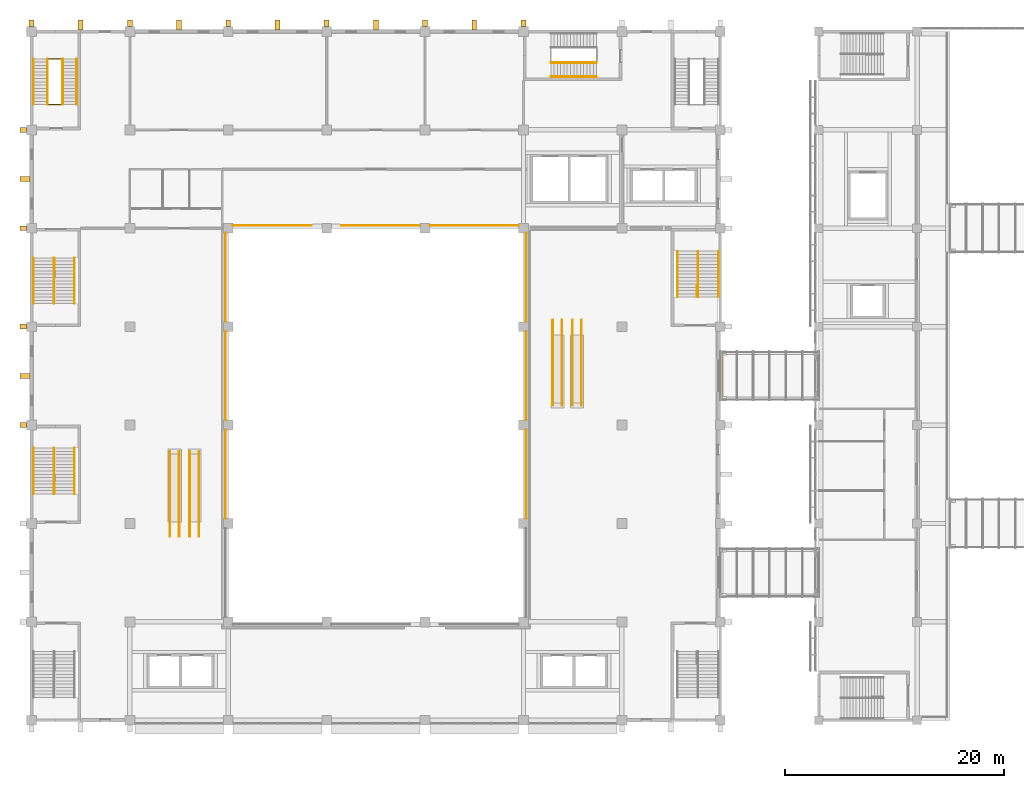
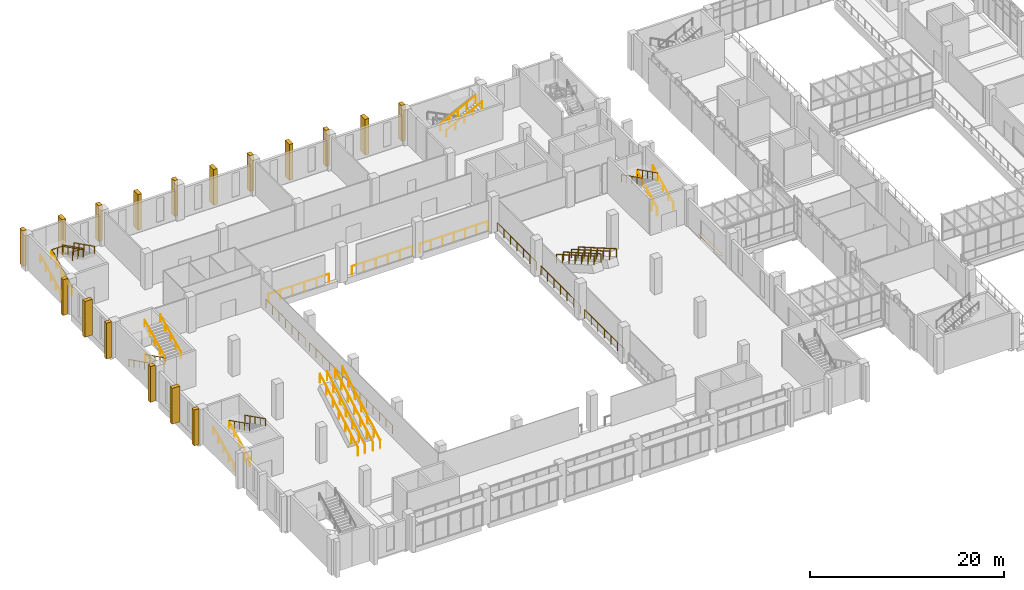
# One storey, part 81 of 88: 39 railings, 18 coverings.
"""IFC4 building model written with IfcOpenShell, lengths in metres."""

import ifcopenshell
import ifcopenshell.guid

model = None  # the IFC model being written
_history = None  # IfcOwnerHistory: only IFC2X3 demands one
_inside = {}  # id of a spatial element -> (the spatial element, [elements in it])
_under = {}  # id of a project, library or spatial element -> (it, [spatial elements below it])
_declared = {}  # id of a project -> (the project, [libraries it declares])
_typed = {}  # id of a type object -> (the type object, [elements of that type])
_made_of = {}  # id of a material, layer set ... -> (it, [elements and type objects made of it])


def new_model(schema):
    """Start an empty IFC model of exactly this schema.

    Asked for "IFC4X3", IfcOpenShell would pick the latest addendum, in which some entities
    have other attributes; the version numbers below select the first issue.
    IFC2X3 requires an IfcOwnerHistory on every rooted entity: one is made here for all.
    """
    global model, _history
    if schema == "IFC4X3":
        model = ifcopenshell.file(schema_version=(4, 3, 0, 0))
    else:
        model = ifcopenshell.file(schema=schema)
    _inside.clear()
    _under.clear()
    _declared.clear()
    _typed.clear()
    _made_of.clear()
    _history = None
    if model.schema == "IFC2X3":
        org = make("IfcOrganization", Name="unknown")
        user = make(
            "IfcPersonAndOrganization",
            ThePerson=make("IfcPerson", FamilyName="unknown"),
            TheOrganization=org,
        )
        app = make(
            "IfcApplication",
            ApplicationDeveloper=org,
            Version="unknown",
            ApplicationFullName="unknown",
            ApplicationIdentifier="unknown",
        )
        _history = make(
            "IfcOwnerHistory",
            OwningUser=user,
            OwningApplication=app,
            ChangeAction="ADDED",
            CreationDate=0,
        )
    return model


def make(cls, **values):
    """One entity of the class cls with the attributes given. An attribute that is None is left unset."""
    return model.create_entity(
        cls, **{name: value for name, value in values.items() if value is not None}
    )


def rooted(cls, **values):
    """An entity with a GlobalId (a new one), such as an element, a storey or a relation."""
    return make(cls, GlobalId=ifcopenshell.guid.new(), OwnerHistory=_history, **values)


def si_unit(unit_type, name, prefix=None):
    """IfcSIUnit, for example si_unit("LENGTHUNIT", "METRE", prefix="MILLI")."""
    return make("IfcSIUnit", UnitType=unit_type, Prefix=prefix, Name=name)


def assignment(units):
    """IfcUnitAssignment: the units of a project."""
    return None if units is None else make("IfcUnitAssignment", Units=units)


def point(xyz):
    """IfcCartesianPoint."""
    return None if xyz is None else make("IfcCartesianPoint", Coordinates=xyz)


def direction(xyz):
    """IfcDirection."""
    return None if xyz is None else make("IfcDirection", DirectionRatios=xyz)


def frame(location, z_axis=None, x_axis=None):
    """IfcAxis2Placement3D, a coordinate frame: its origin and axes. An axis left out is left unset."""
    return make(
        "IfcAxis2Placement3D",
        Location=point(location),
        Axis=direction(z_axis),
        RefDirection=direction(x_axis),
    )


def frame_2d(location, x_axis=None):
    """IfcAxis2Placement2D, a coordinate frame in the plane: its origin and x axis."""
    return make(
        "IfcAxis2Placement2D", Location=point(location), RefDirection=direction(x_axis)
    )


def origin():
    """The frame at (0, 0, 0) with its axes left unset."""
    return frame((0.0, 0.0, 0.0))


def origin_2d():
    """The frame at (0, 0) in the plane with its x axis left unset."""
    return frame_2d((0.0, 0.0))


def place(relative_to, where):
    """IfcLocalPlacement: puts the frame where relative to a parent placement (None: the world)."""
    return make(
        "IfcLocalPlacement", PlacementRelTo=relative_to, RelativePlacement=where
    )


def context(
    kind, dimensions, precision=None, world=None, true_north=None, identifier=None
):
    """IfcGeometricRepresentationContext, for example the 3D "Model" context."""
    return make(
        "IfcGeometricRepresentationContext",
        ContextIdentifier=identifier,
        ContextType=kind,
        CoordinateSpaceDimension=dimensions,
        Precision=precision,
        WorldCoordinateSystem=world,
        TrueNorth=true_north,
    )


def subcontext(parent, identifier, kind, view, scale=None):
    """IfcGeometricRepresentationSubContext, for example "Body" below "Model"."""
    return make(
        "IfcGeometricRepresentationSubContext",
        ContextIdentifier=identifier,
        ContextType=kind,
        ParentContext=parent,
        TargetScale=scale,
        TargetView=view,
    )


def project(units=None, contexts=None):
    """IfcProject with its units and contexts."""
    return rooted(
        "IfcProject",
        Name="project",
        RepresentationContexts=contexts,
        UnitsInContext=assignment(units),
    )


def spatial(cls, under=None, at=None, **own):
    """A site, building, storey or space (cls), placed at a placement, below another one or the project."""
    s = rooted(cls, ObjectPlacement=at, **own)
    if under is not None:
        _under.setdefault(under.id(), (under, []))[1].append(s)
    return s


def profile(cls, at=None, kind="AREA", **sizes):
    """A parametric profile (cls). Its sizes go by their IFC names, for example OverallWidth=200.0."""
    return make(cls, ProfileType=kind, Position=at, **sizes)


def rectangle(**sizes):
    """IfcRectangleProfileDef."""
    return profile("IfcRectangleProfileDef", **sizes)


def circle(**sizes):
    """IfcCircleProfileDef."""
    return profile("IfcCircleProfileDef", **sizes)


def extrude(swept, where, along, depth):
    """IfcExtrudedAreaSolid: the profile swept, set in the frame where, extruded along a direction by depth."""
    return make(
        "IfcExtrudedAreaSolid",
        SweptArea=swept,
        Position=where,
        ExtrudedDirection=direction(along),
        Depth=depth,
    )


def shape(context_of_items, identifier, shape_type, items):
    """IfcShapeRepresentation: the items that make up one representation, for example the "Body"."""
    return make(
        "IfcShapeRepresentation",
        ContextOfItems=context_of_items,
        RepresentationIdentifier=identifier,
        RepresentationType=shape_type,
        Items=items,
    )


def material(Name=None, Category=None):
    """IfcMaterial."""
    return make("IfcMaterial", Name=Name, Category=Category)


def layer(
    of_material, thickness, ventilated=None, Name=None, Category=None, Priority=None
):
    """IfcMaterialLayer: one layer of a wall or slab, of a material (None: an air gap)."""
    return make(
        "IfcMaterialLayer",
        Material=of_material,
        LayerThickness=thickness,
        IsVentilated=ventilated,
        Name=Name,
        Category=Category,
        Priority=Priority,
    )


def layer_set(layers, Name=None):
    """IfcMaterialLayerSet."""
    return make("IfcMaterialLayerSet", MaterialLayers=layers, LayerSetName=Name)


def made_of(thing, what):
    """Note that an element or type object is made of a material, layer set ...; save() writes the relation."""
    if what is not None:
        _made_of.setdefault(what.id(), (what, []))[1].append(thing)
    return thing


def type_object(cls, material=None, **own):
    """A type object (cls), such as IfcWallType, which elements share."""
    return made_of(rooted(cls, **own), material)


def element(
    cls,
    number,
    at=None,
    inside=None,
    cuts=None,
    type_object=None,
    material=None,
    context=None,
    identifier="Body",
    shape_type=None,
    held_by="IfcProductDefinitionShape",
    body=None,
    shapes=None,
    **own,
):
    """One element of the class cls, such as IfcWall. Its Tag is "e" and its number.

    at: its placement. inside: the storey or other place that contains it. cuts: it is an
    opening in that element (IfcRelVoidsElement). A single representation is given by context,
    identifier, shape_type and body (its items); several are given by shapes. held_by: the class
    of the entity that holds the representations. save() writes the other relations.
    """
    e = rooted(cls, Tag="e%d" % number, ObjectPlacement=at, **own)
    if body is not None:
        shapes = [shape(context, identifier, shape_type, body)]
    if shapes is not None:
        e.Representation = make(held_by, Representations=shapes)
    if inside is not None:
        _inside.setdefault(inside.id(), (inside, []))[1].append(e)
    if cuts is not None:
        rooted(
            "IfcRelVoidsElement", RelatingBuildingElement=cuts, RelatedOpeningElement=e
        )
    if type_object is not None:
        _typed.setdefault(type_object.id(), (type_object, []))[1].append(e)
    return made_of(e, material)


def aggregate(whole, parts):
    """IfcRelAggregates: a whole, such as a stair, and the parts it consists of."""
    return rooted("IfcRelAggregates", RelatingObject=whole, RelatedObjects=parts)


def save(model, path):
    """Write the relations noted so far, then the file.

    IfcRelAggregates (storeys below a building ...), IfcRelContainedInSpatialStructure (elements
    in a storey), IfcRelDefinesByType, IfcRelAssociatesMaterial and IfcRelDeclares: one each for
    every whole, place, type object, material and project.
    """
    for whole, parts in _under.values():
        aggregate(whole, parts)
    for where, things in _inside.values():
        rooted(
            "IfcRelContainedInSpatialStructure",
            RelatedElements=things,
            RelatingStructure=where,
        )
    for kind, things in _typed.values():
        rooted("IfcRelDefinesByType", RelatedObjects=things, RelatingType=kind)
    for what, things in _made_of.values():
        rooted("IfcRelAssociatesMaterial", RelatedObjects=things, RelatingMaterial=what)
    for by, libraries in _declared.values():
        rooted("IfcRelDeclares", RelatingContext=by, RelatedDefinitions=libraries)
    model.write(path)


model = new_model("IFC4")

# Units and contexts
model_context = context("Model", 3, precision=1e-05, world=origin(), true_north=direction((0.0, 1.0)))
body_context = subcontext(model_context, "Body", "Model", "MODEL_VIEW")
ifc_project = project(units=[si_unit("LENGTHUNIT", "METRE"), si_unit("AREAUNIT", "SQUARE_METRE"), si_unit("VOLUMEUNIT", "CUBIC_METRE"), si_unit("PLANEANGLEUNIT", "RADIAN"), si_unit("MASSUNIT", "GRAM", prefix="KILO")], contexts=[model_context])

# Site, building, storey
site_placement = place(None, origin())
site = spatial("IfcSite", under=ifc_project, at=site_placement, CompositionType="ELEMENT")
building_placement = place(site_placement, origin())
building = spatial("IfcBuilding", under=site, at=building_placement, Name="Guidao Yard Department Store", CompositionType="ELEMENT")
storey_placement = place(building_placement, frame((0.0, 0.0, 6.0)))
storey = spatial("IfcBuildingStorey", under=building, at=storey_placement, Name="L01", CompositionType="ELEMENT", Elevation=6.0)

# Covering
ifc_material_1 = material(Name="Stainless steel 316", Category="steel")
ifc_layer_1 = layer(ifc_material_1, 0.010009765625)
ifc_layer_set_1 = layer_set([ifc_layer_1], Name="Bridge joint cover JC1 stainless steel 10 x 335")
covering_type_1 = type_object("IfcCoveringType", Name="Bridge joint cover JC1 stainless steel 10 x 335", PredefinedType="FLOORING", material=ifc_layer_set_1)
covering_1_placement = place(storey_placement, frame((63.0673828125, 76.5, 0.0), z_axis=(0.0, 0.0, 1.0), x_axis=(1.0, 0.0, 0.0)))
element("IfcCovering", 1, at=covering_1_placement, inside=storey, type_object=covering_type_1, Name="Bridge joint cover plate BR02", PredefinedType="FLOORING", context=body_context, shape_type="SweptSolid", body=[
    extrude(rectangle(XDim=0.3349609375, YDim=4.5, at=origin_2d()), origin(), (0.0, 0.0, 1.0), 0.010009765625),
])

# Railings
ifc_material_2 = material(Name="Laminated glass", Category="glass")
railing_type_1 = type_object("IfcRailingType", Name="Escalator balustrade glass 1100", PredefinedType="BALUSTRADE", material=ifc_material_2)
for number, where, name in (
    (2, (12.679931640625, 61.800048828125, 0.0), "Escalator EH3 up balustrade"),
    (3, (13.52001953125, 61.800048828125, 0.0), "Escalator EH3 up balustrade"),
    (4, (14.47998046875, 61.800048828125, 0.0), "Escalator EH3 down balustrade"),
    (5, (15.320068359375, 61.800048828125, 0.0), "Escalator EH3 down balustrade"),
):
    element("IfcRailing", number, at=place(storey_placement, frame(where)), inside=storey, type_object=railing_type_1, Name=name, PredefinedType="BALUSTRADE", context=body_context, shape_type="SweptSolid", body=[
        extrude(circle(Radius=0.030029296875, at=origin_2d()), frame((0.0, 0.0, 1.070068359375), z_axis=(0.0, 0.866017533419, 0.500013631625), x_axis=(-1.0, 0.0, 0.0)), (0.0, 0.0, 1.0), 8.999755859375),
        extrude(circle(Radius=0.02490234375, at=origin_2d()), origin(), (0.0, 0.0, 1.0), 1.0400390625),
        extrude(circle(Radius=0.02490234375, at=origin_2d()), frame((0.0, 1.299072265625, 0.75)), (0.0, 0.0, 1.0), 1.0400390625),
        extrude(circle(Radius=0.02490234375, at=origin_2d()), frame((0.0, 2.597900390625, 1.5)), (0.0, 0.0, 1.0), 1.0400390625),
        extrude(circle(Radius=0.02490234375, at=origin_2d()), frame((0.0, 3.89697265625, 2.25)), (0.0, 0.0, 1.0), 1.0400390625),
        extrude(circle(Radius=0.02490234375, at=origin_2d()), frame((0.0, 5.196044921875, 3.0)), (0.0, 0.0, 1.0), 1.0400390625),
        extrude(circle(Radius=0.02490234375, at=origin_2d()), frame((0.0, 6.494873046875, 3.75)), (0.0, 0.0, 1.0), 1.0400390625),
        extrude(circle(Radius=0.02490234375, at=origin_2d()), frame((0.0, 7.7939453125, 4.5)), (0.0, 0.0, 1.0), 1.0400390625),
    ])
for number, where, name in (
    (6, (47.679931640625, 81.60009765625, 0.0), "Escalator EH4 up balustrade"),
    (7, (48.52001953125, 81.60009765625, 0.0), "Escalator EH4 up balustrade"),
    (8, (49.47998046875, 81.60009765625, 0.0), "Escalator EH4 down balustrade"),
    (9, (50.320068359375, 81.60009765625, 0.0), "Escalator EH4 down balustrade"),
):
    element("IfcRailing", number, at=place(storey_placement, frame(where)), inside=storey, type_object=railing_type_1, Name=name, PredefinedType="BALUSTRADE", context=body_context, shape_type="SweptSolid", body=[
        extrude(circle(Radius=0.030029296875, at=origin_2d()), frame((0.0, 0.0, 1.070068359375), z_axis=(0.0, -0.866024315419, 0.5000018851), x_axis=(1.0, 0.0, 0.0)), (0.0, 0.0, 1.0), 9.0),
        extrude(circle(Radius=0.02490234375, at=origin_2d()), origin(), (0.0, 0.0, 1.0), 1.0400390625),
        extrude(circle(Radius=0.02490234375, at=origin_2d()), frame((0.0, -1.299072265625, 0.75)), (0.0, 0.0, 1.0), 1.0400390625),
        extrude(circle(Radius=0.02490234375, at=origin_2d()), frame((0.0, -2.59814453125, 1.5)), (0.0, 0.0, 1.0), 1.0400390625),
        extrude(circle(Radius=0.02490234375, at=origin_2d()), frame((0.0, -3.89697265625, 2.25)), (0.0, 0.0, 1.0), 1.0400390625),
        extrude(circle(Radius=0.02490234375, at=origin_2d()), frame((0.0, -5.196044921875, 3.0)), (0.0, 0.0, 1.0), 1.0400390625),
        extrude(circle(Radius=0.02490234375, at=origin_2d()), frame((0.0, -6.4951171875, 3.75)), (0.0, 0.0, 1.0), 1.0400390625),
        extrude(circle(Radius=0.02490234375, at=origin_2d()), frame((0.0, -7.794189453125, 4.5)), (0.0, 0.0, 1.0), 1.0400390625),
    ])
ifc_material_3 = material(Name="Steel Q235", Category="steel")
railing_type_2 = type_object("IfcRailingType", Name="Guard steel balustrade 1100", PredefinedType="GUARDRAIL", material=ifc_material_3)
railing_1_placement = place(storey_placement, frame((2.125, 65.760009765625, 0.0)))
element("IfcRailing", 10, at=railing_1_placement, inside=storey, type_object=railing_type_2, Name="Stair A1 guard L01 1", PredefinedType="GUARDRAIL", context=body_context, shape_type="SweptSolid", body=[
    extrude(circle(Radius=0.02392578125, at=origin_2d()), frame((0.0, 0.0, 1.076171875), z_axis=(0.0, 1.0, 0.0), x_axis=(-1.0, 0.0, 0.0)), (0.0, 0.0, 1.0), 1.0),
    extrude(circle(Radius=0.02099609375, at=origin_2d()), origin(), (0.0, 0.0, 1.0), 1.052001953125),
    extrude(circle(Radius=0.02099609375, at=origin_2d()), frame((0.0, 1.0, 0.0)), (0.0, 0.0, 1.0), 1.052001953125),
])
railing_2_placement = place(storey_placement, frame((2.125, 87.239990234375, 0.0)))
element("IfcRailing", 11, at=railing_2_placement, inside=storey, type_object=railing_type_2, Name="Stair A3 guard L01 3", PredefinedType="GUARDRAIL", context=body_context, shape_type="SweptSolid", body=[
    extrude(circle(Radius=0.02392578125, at=origin_2d()), frame((0.0, 0.0, 1.076171875), z_axis=(0.0, -1.0, 0.0), x_axis=(1.0, 0.0, 0.0)), (0.0, 0.0, 1.0), 1.0),
    extrude(circle(Radius=0.02099609375, at=origin_2d()), origin(), (0.0, 0.0, 1.0), 1.052001953125),
    extrude(circle(Radius=0.02099609375, at=origin_2d()), frame((0.0, -1.0, 0.0)), (0.0, 0.0, 1.0), 1.052001953125),
])
railing_3_placement = place(storey_placement, frame((60.875, 83.760009765625, 0.0)))
element("IfcRailing", 12, at=railing_3_placement, inside=storey, type_object=railing_type_2, Name="Stair A4 guard L01 4", PredefinedType="GUARDRAIL", context=body_context, shape_type="SweptSolid", body=[
    extrude(circle(Radius=0.02392578125, at=origin_2d()), frame((0.0, 0.0, 1.076171875), z_axis=(0.0, 1.0, 0.0), x_axis=(-1.0, 0.0, 0.0)), (0.0, 0.0, 1.0), 1.0),
    extrude(circle(Radius=0.02099609375, at=origin_2d()), origin(), (0.0, 0.0, 1.0), 1.052001953125),
    extrude(circle(Radius=0.02099609375, at=origin_2d()), frame((0.0, 1.0, 0.0)), (0.0, 0.0, 1.0), 1.052001953125),
])
railing_4_placement = place(storey_placement, frame((1.52490234375, 101.300048828125, 0.14990234375)))
element("IfcRailing", 13, at=railing_4_placement, inside=storey, type_object=railing_type_2, Name="Stair A5 guard L01 5", PredefinedType="GUARDRAIL", context=body_context, shape_type="SweptSolid", body=[
    extrude(circle(Radius=0.02392578125, at=origin_2d()), frame((0.0, 0.0, 1.076171875), z_axis=(0.0, 0.894416792377, 0.447234392142), x_axis=(-1.0, 0.0, 0.0)), (0.0, 0.0, 1.0), 4.69580078125),
    extrude(circle(Radius=0.02392578125, at=origin_2d()), frame((0.0, 4.199951171875, 3.17626953125), z_axis=(1.0, 0.0, 0.0), x_axis=(0.0, 1.0, 0.0)), (0.0, 0.0, 1.0), 1.275146484375),
    extrude(circle(Radius=0.02392578125, at=origin_2d()), frame((1.275146484375, 4.199951171875, 3.17626953125), z_axis=(0.0, 0.0, 1.0), x_axis=(1.0, 0.0, 0.0)), (0.0, 0.0, 1.0), 0.14990234375),
    extrude(circle(Radius=0.02392578125, at=origin_2d()), frame((1.275146484375, 4.199951171875, 3.326171875), z_axis=(0.0, -0.894416792377, 0.447234392142), x_axis=(1.0, 0.0, 0.0)), (0.0, 0.0, 1.0), 4.69580078125),
    extrude(circle(Radius=0.02392578125, at=origin_2d()), frame((1.275146484375, 0.0, 5.42626953125), z_axis=(-1.0, 0.0, 0.0), x_axis=(0.0, -1.0, 0.0)), (0.0, 0.0, 1.0), 1.275146484375),
    extrude(circle(Radius=0.02099609375, at=origin_2d()), origin(), (0.0, 0.0, 1.0), 1.052001953125),
    extrude(circle(Radius=0.02099609375, at=origin_2d()), frame((0.0, 1.050048828125, 0.52490234375)), (0.0, 0.0, 1.0), 1.052001953125),
    extrude(circle(Radius=0.02099609375, at=origin_2d()), frame((0.0, 2.10009765625, 1.050048828125)), (0.0, 0.0, 1.0), 1.052001953125),
    extrude(circle(Radius=0.02099609375, at=origin_2d()), frame((0.0, 3.14990234375, 1.5751953125)), (0.0, 0.0, 1.0), 1.052001953125),
    extrude(circle(Radius=0.02099609375, at=origin_2d()), frame((0.0, 4.199951171875, 2.10009765625)), (0.0, 0.0, 1.0), 1.052001953125),
    extrude(circle(Radius=0.02099609375, at=origin_2d()), frame((0.6376953125, 4.199951171875, 2.10009765625)), (0.0, 0.0, 1.0), 1.052001953125),
    extrude(circle(Radius=0.02099609375, at=origin_2d()), frame((1.275146484375, 4.199951171875, 2.10009765625)), (0.0, 0.0, 1.0), 1.052001953125),
    extrude(circle(Radius=0.02099609375, at=origin_2d()), frame((1.275146484375, 4.199951171875, 2.25)), (0.0, 0.0, 1.0), 1.052001953125),
    extrude(circle(Radius=0.02099609375, at=origin_2d()), frame((1.275146484375, 3.14990234375, 2.77490234375)), (0.0, 0.0, 1.0), 1.052001953125),
    extrude(circle(Radius=0.02099609375, at=origin_2d()), frame((1.275146484375, 2.10009765625, 3.300048828125)), (0.0, 0.0, 1.0), 1.052001953125),
    extrude(circle(Radius=0.02099609375, at=origin_2d()), frame((1.275146484375, 1.050048828125, 3.8251953125)), (0.0, 0.0, 1.0), 1.052001953125),
    extrude(circle(Radius=0.02099609375, at=origin_2d()), frame((1.275146484375, 0.0, 4.35009765625)), (0.0, 0.0, 1.0), 1.052001953125),
    extrude(circle(Radius=0.02099609375, at=origin_2d()), frame((0.6376953125, 0.0, 4.35009765625)), (0.0, 0.0, 1.0), 1.052001953125),
    extrude(circle(Radius=0.02099609375, at=origin_2d()), frame((0.0, 0.0, 4.35009765625)), (0.0, 0.0, 1.0), 1.052001953125),
])
for number, where, name in (
    (14, (45.25, 63.449951171875, 0.0), "Guard atrium E L01"),
    (15, (45.25, 72.449951171875, 0.0), "Guard atrium E L01"),
    (16, (45.25, 81.449951171875, 0.0), "Guard atrium E L01"),
):
    element("IfcRailing", number, at=place(storey_placement, frame(where)), inside=storey, type_object=railing_type_2, Name=name, PredefinedType="GUARDRAIL", context=body_context, shape_type="SweptSolid", body=[
        extrude(circle(Radius=0.02392578125, at=origin_2d()), frame((0.0, 0.0, 1.076171875), z_axis=(0.0, 1.0, 0.0), x_axis=(-1.0, 0.0, 0.0)), (0.0, 0.0, 1.0), 8.10009765625),
        extrude(circle(Radius=0.02099609375, at=origin_2d()), origin(), (0.0, 0.0, 1.0), 1.052001953125),
        extrude(circle(Radius=0.02099609375, at=origin_2d()), frame((0.0, 1.35009765625, 0.0)), (0.0, 0.0, 1.0), 1.052001953125),
        extrude(circle(Radius=0.02099609375, at=origin_2d()), frame((0.0, 2.699951171875, 0.0)), (0.0, 0.0, 1.0), 1.052001953125),
        extrude(circle(Radius=0.02099609375, at=origin_2d()), frame((0.0, 4.050048828125, 0.0)), (0.0, 0.0, 1.0), 1.052001953125),
        extrude(circle(Radius=0.02099609375, at=origin_2d()), frame((0.0, 5.400146484375, 0.0)), (0.0, 0.0, 1.0), 1.052001953125),
        extrude(circle(Radius=0.02099609375, at=origin_2d()), frame((0.0, 6.75, 0.0)), (0.0, 0.0, 1.0), 1.052001953125),
        extrude(circle(Radius=0.02099609375, at=origin_2d()), frame((0.0, 8.10009765625, 0.0)), (0.0, 0.0, 1.0), 1.052001953125),
    ])
railing_5_placement = place(storey_placement, frame((44.550048828125, 90.25, 0.0)))
element("IfcRailing", 17, at=railing_5_placement, inside=storey, type_object=railing_type_2, Name="Guard atrium N L01", PredefinedType="GUARDRAIL", context=body_context, shape_type="SweptSolid", body=[
    extrude(circle(Radius=0.02392578125, at=origin_2d()), frame((0.0, 0.0, 1.076171875), z_axis=(-1.0, 0.0, 0.0), x_axis=(0.0, -1.0, 0.0)), (0.0, 0.0, 1.0), 8.10009765625),
    extrude(circle(Radius=0.02099609375, at=origin_2d()), origin(), (0.0, 0.0, 1.0), 1.052001953125),
    extrude(circle(Radius=0.02099609375, at=origin_2d()), frame((-1.35009765625, 0.0, 0.0)), (0.0, 0.0, 1.0), 1.052001953125),
    extrude(circle(Radius=0.02099609375, at=origin_2d()), frame((-2.699951171875, 0.0, 0.0)), (0.0, 0.0, 1.0), 1.052001953125),
    extrude(circle(Radius=0.02099609375, at=origin_2d()), frame((-4.050048828125, 0.0, 0.0)), (0.0, 0.0, 1.0), 1.052001953125),
    extrude(circle(Radius=0.02099609375, at=origin_2d()), frame((-5.400146484375, 0.0, 0.0)), (0.0, 0.0, 1.0), 1.052001953125),
    extrude(circle(Radius=0.02099609375, at=origin_2d()), frame((-6.75, 0.0, 0.0)), (0.0, 0.0, 1.0), 1.052001953125),
    extrude(circle(Radius=0.02099609375, at=origin_2d()), frame((-8.10009765625, 0.0, 0.0)), (0.0, 0.0, 1.0), 1.052001953125),
])
for number, where, name in (
    (18, (35.550048828125, 90.25, 0.0), "Guard atrium N L01"),
    (19, (25.6298828125, 90.25, 0.0), "Guard atrium N L01"),
):
    element("IfcRailing", number, at=place(storey_placement, frame(where)), inside=storey, type_object=railing_type_2, Name=name, PredefinedType="GUARDRAIL", context=body_context, shape_type="SweptSolid", body=[
        extrude(circle(Radius=0.02392578125, at=origin_2d()), frame((0.0, 0.0, 1.076171875), z_axis=(-1.0, 0.0, 0.0), x_axis=(0.0, -1.0, 0.0)), (0.0, 0.0, 1.0), 7.179931640625),
        extrude(circle(Radius=0.02099609375, at=origin_2d()), origin(), (0.0, 0.0, 1.0), 1.052001953125),
        extrude(circle(Radius=0.02099609375, at=origin_2d()), frame((-1.43603515625, 0.0, 0.0)), (0.0, 0.0, 1.0), 1.052001953125),
        extrude(circle(Radius=0.02099609375, at=origin_2d()), frame((-2.8720703125, 0.0, 0.0)), (0.0, 0.0, 1.0), 1.052001953125),
        extrude(circle(Radius=0.02099609375, at=origin_2d()), frame((-4.307861328125, 0.0, 0.0)), (0.0, 0.0, 1.0), 1.052001953125),
        extrude(circle(Radius=0.02099609375, at=origin_2d()), frame((-5.743896484375, 0.0, 0.0)), (0.0, 0.0, 1.0), 1.052001953125),
        extrude(circle(Radius=0.02099609375, at=origin_2d()), frame((-7.179931640625, 0.0, 0.0)), (0.0, 0.0, 1.0), 1.052001953125),
    ])
for number, where, name in (
    (20, (17.75, 89.550048828125, 0.0), "Guard atrium W L01"),
    (21, (17.75, 80.550048828125, 0.0), "Guard atrium W L01"),
    (22, (17.75, 71.550048828125, 0.0), "Guard atrium W L01"),
):
    element("IfcRailing", number, at=place(storey_placement, frame(where)), inside=storey, type_object=railing_type_2, Name=name, PredefinedType="GUARDRAIL", context=body_context, shape_type="SweptSolid", body=[
        extrude(circle(Radius=0.02392578125, at=origin_2d()), frame((0.0, 0.0, 1.076171875), z_axis=(0.0, -1.0, 0.0), x_axis=(1.0, 0.0, 0.0)), (0.0, 0.0, 1.0), 8.10009765625),
        extrude(circle(Radius=0.02099609375, at=origin_2d()), origin(), (0.0, 0.0, 1.0), 1.052001953125),
        extrude(circle(Radius=0.02099609375, at=origin_2d()), frame((0.0, -1.35009765625, 0.0)), (0.0, 0.0, 1.0), 1.052001953125),
        extrude(circle(Radius=0.02099609375, at=origin_2d()), frame((0.0, -2.699951171875, 0.0)), (0.0, 0.0, 1.0), 1.052001953125),
        extrude(circle(Radius=0.02099609375, at=origin_2d()), frame((0.0, -4.050048828125, 0.0)), (0.0, 0.0, 1.0), 1.052001953125),
        extrude(circle(Radius=0.02099609375, at=origin_2d()), frame((0.0, -5.400146484375, 0.0)), (0.0, 0.0, 1.0), 1.052001953125),
        extrude(circle(Radius=0.02099609375, at=origin_2d()), frame((0.0, -6.75, 0.0)), (0.0, 0.0, 1.0), 1.052001953125),
        extrude(circle(Radius=0.02099609375, at=origin_2d()), frame((0.0, -8.10009765625, 0.0)), (0.0, 0.0, 1.0), 1.052001953125),
    ])
ifc_material_4 = material(Name="Steel Q235", Category="steel")
railing_type_3 = type_object("IfcRailingType", Name="Handrail steel tube 48", PredefinedType="HANDRAIL", material=ifc_material_4)
for number, where, name in (
    (23, (0.18505859375, 65.699951171875, 0.14990234375), "Stair A1 hand rail L01 1"),
    (24, (2.050048828125, 65.699951171875, 0.14990234375), "Stair A1 hand rail L01 2"),
):
    element("IfcRailing", number, at=place(storey_placement, frame(where)), inside=storey, type_object=railing_type_3, Name=name, PredefinedType="HANDRAIL", context=body_context, shape_type="SweptSolid", body=[
        extrude(circle(Radius=0.02392578125, at=origin_2d()), frame((0.0, 0.0, 0.8759765625), z_axis=(0.0, 0.894416792377, 0.447234392142), x_axis=(-1.0, 0.0, 0.0)), (0.0, 0.0, 1.0), 4.69580078125),
        extrude(circle(Radius=0.02099609375, at=origin_2d()), origin(), (0.0, 0.0, 1.0), 0.851806640625),
        extrude(circle(Radius=0.02099609375, at=origin_2d()), frame((0.0, 1.050048828125, 0.52490234375)), (0.0, 0.0, 1.0), 0.851806640625),
        extrude(circle(Radius=0.02099609375, at=origin_2d()), frame((0.0, 2.10009765625, 1.050048828125)), (0.0, 0.0, 1.0), 0.851806640625),
        extrude(circle(Radius=0.02099609375, at=origin_2d()), frame((0.0, 3.14990234375, 1.5751953125)), (0.0, 0.0, 1.0), 0.851806640625),
        extrude(circle(Radius=0.02099609375, at=origin_2d()), frame((0.0, 4.199951171875, 2.10009765625)), (0.0, 0.0, 1.0), 0.851806640625),
    ])
for number, where, name in (
    (25, (3.9150390625, 69.89990234375, 2.39990234375), "Stair A1 hand rail L01 3"),
    (26, (2.050048828125, 69.89990234375, 2.39990234375), "Stair A1 hand rail L01 4"),
    (27, (0.18505859375, 87.300048828125, 0.14990234375), "Stair A3 hand rail L01 9"),
    (28, (2.050048828125, 87.300048828125, 0.14990234375), "Stair A3 hand rail L01 10"),
):
    element("IfcRailing", number, at=place(storey_placement, frame(where)), inside=storey, type_object=railing_type_3, Name=name, PredefinedType="HANDRAIL", context=body_context, shape_type="SweptSolid", body=[
        extrude(circle(Radius=0.02392578125, at=origin_2d()), frame((0.0, 0.0, 0.8759765625), z_axis=(0.0, -0.894416792377, 0.447234392142), x_axis=(1.0, 0.0, 0.0)), (0.0, 0.0, 1.0), 4.69580078125),
        extrude(circle(Radius=0.02099609375, at=origin_2d()), origin(), (0.0, 0.0, 1.0), 0.851806640625),
        extrude(circle(Radius=0.02099609375, at=origin_2d()), frame((0.0, -1.050048828125, 0.52490234375)), (0.0, 0.0, 1.0), 0.851806640625),
        extrude(circle(Radius=0.02099609375, at=origin_2d()), frame((0.0, -2.10009765625, 1.050048828125)), (0.0, 0.0, 1.0), 0.851806640625),
        extrude(circle(Radius=0.02099609375, at=origin_2d()), frame((0.0, -3.14990234375, 1.5751953125)), (0.0, 0.0, 1.0), 0.851806640625),
        extrude(circle(Radius=0.02099609375, at=origin_2d()), frame((0.0, -4.199951171875, 2.10009765625)), (0.0, 0.0, 1.0), 0.851806640625),
    ])
for number, where, name in (
    (29, (3.9150390625, 83.10009765625, 2.39990234375), "Stair A3 hand rail L01 11"),
    (30, (2.050048828125, 83.10009765625, 2.39990234375), "Stair A3 hand rail L01 12"),
    (31, (62.81494140625, 83.699951171875, 0.14990234375), "Stair A4 hand rail L01 13"),
    (32, (60.949951171875, 83.699951171875, 0.14990234375), "Stair A4 hand rail L01 14"),
):
    element("IfcRailing", number, at=place(storey_placement, frame(where)), inside=storey, type_object=railing_type_3, Name=name, PredefinedType="HANDRAIL", context=body_context, shape_type="SweptSolid", body=[
        extrude(circle(Radius=0.02392578125, at=origin_2d()), frame((0.0, 0.0, 0.8759765625), z_axis=(0.0, 0.894416792377, 0.447234392142), x_axis=(-1.0, 0.0, 0.0)), (0.0, 0.0, 1.0), 4.69580078125),
        extrude(circle(Radius=0.02099609375, at=origin_2d()), origin(), (0.0, 0.0, 1.0), 0.851806640625),
        extrude(circle(Radius=0.02099609375, at=origin_2d()), frame((0.0, 1.050048828125, 0.52490234375)), (0.0, 0.0, 1.0), 0.851806640625),
        extrude(circle(Radius=0.02099609375, at=origin_2d()), frame((0.0, 2.10009765625, 1.050048828125)), (0.0, 0.0, 1.0), 0.851806640625),
        extrude(circle(Radius=0.02099609375, at=origin_2d()), frame((0.0, 3.14990234375, 1.5751953125)), (0.0, 0.0, 1.0), 0.851806640625),
        extrude(circle(Radius=0.02099609375, at=origin_2d()), frame((0.0, 4.199951171875, 2.10009765625)), (0.0, 0.0, 1.0), 0.851806640625),
    ])
for number, where, name in (
    (33, (59.0849609375, 87.89990234375, 2.39990234375), "Stair A4 hand rail L01 15"),
    (34, (60.949951171875, 87.89990234375, 2.39990234375), "Stair A4 hand rail L01 16"),
):
    element("IfcRailing", number, at=place(storey_placement, frame(where)), inside=storey, type_object=railing_type_3, Name=name, PredefinedType="HANDRAIL", context=body_context, shape_type="SweptSolid", body=[
        extrude(circle(Radius=0.02392578125, at=origin_2d()), frame((0.0, 0.0, 0.8759765625), z_axis=(0.0, -0.894416792377, 0.447234392142), x_axis=(1.0, 0.0, 0.0)), (0.0, 0.0, 1.0), 4.69580078125),
        extrude(circle(Radius=0.02099609375, at=origin_2d()), origin(), (0.0, 0.0, 1.0), 0.851806640625),
        extrude(circle(Radius=0.02099609375, at=origin_2d()), frame((0.0, -1.050048828125, 0.52490234375)), (0.0, 0.0, 1.0), 0.851806640625),
        extrude(circle(Radius=0.02099609375, at=origin_2d()), frame((0.0, -2.10009765625, 1.050048828125)), (0.0, 0.0, 1.0), 0.851806640625),
        extrude(circle(Radius=0.02099609375, at=origin_2d()), frame((0.0, -3.14990234375, 1.5751953125)), (0.0, 0.0, 1.0), 0.851806640625),
        extrude(circle(Radius=0.02099609375, at=origin_2d()), frame((0.0, -4.199951171875, 2.10009765625)), (0.0, 0.0, 1.0), 0.851806640625),
    ])
for number, where, name in (
    (35, (0.18505859375, 101.300048828125, 0.14990234375), "Stair A5 hand rail L01 17"),
    (36, (1.465087890625, 101.300048828125, 0.14990234375), "Stair A5 hand rail L01 18"),
):
    element("IfcRailing", number, at=place(storey_placement, frame(where)), inside=storey, type_object=railing_type_3, Name=name, PredefinedType="HANDRAIL", context=body_context, shape_type="SweptSolid", body=[
        extrude(circle(Radius=0.02392578125, at=origin_2d()), frame((0.0, 0.0, 0.8759765625), z_axis=(0.0, 0.894416792377, 0.447234392142), x_axis=(-1.0, 0.0, 0.0)), (0.0, 0.0, 1.0), 4.69580078125),
        extrude(circle(Radius=0.02099609375, at=origin_2d()), origin(), (0.0, 0.0, 1.0), 0.851806640625),
        extrude(circle(Radius=0.02099609375, at=origin_2d()), frame((0.0, 1.050048828125, 0.52490234375)), (0.0, 0.0, 1.0), 0.851806640625),
        extrude(circle(Radius=0.02099609375, at=origin_2d()), frame((0.0, 2.10009765625, 1.050048828125)), (0.0, 0.0, 1.0), 0.851806640625),
        extrude(circle(Radius=0.02099609375, at=origin_2d()), frame((0.0, 3.14990234375, 1.5751953125)), (0.0, 0.0, 1.0), 0.851806640625),
        extrude(circle(Radius=0.02099609375, at=origin_2d()), frame((0.0, 4.199951171875, 2.10009765625)), (0.0, 0.0, 1.0), 0.851806640625),
    ])
for number, where, name in (
    (37, (2.860107421875, 105.5, 2.39990234375), "Stair A5 hand rail L01 19"),
    (38, (4.139892578125, 105.5, 2.39990234375), "Stair A5 hand rail L01 20"),
):
    element("IfcRailing", number, at=place(storey_placement, frame(where)), inside=storey, type_object=railing_type_3, Name=name, PredefinedType="HANDRAIL", context=body_context, shape_type="SweptSolid", body=[
        extrude(circle(Radius=0.02392578125, at=origin_2d()), frame((0.0, 0.0, 0.8759765625), z_axis=(0.0, -0.894416792377, 0.447234392142), x_axis=(1.0, 0.0, 0.0)), (0.0, 0.0, 1.0), 4.69580078125),
        extrude(circle(Radius=0.02099609375, at=origin_2d()), origin(), (0.0, 0.0, 1.0), 0.851806640625),
        extrude(circle(Radius=0.02099609375, at=origin_2d()), frame((0.0, -1.050048828125, 0.52490234375)), (0.0, 0.0, 1.0), 0.851806640625),
        extrude(circle(Radius=0.02099609375, at=origin_2d()), frame((0.0, -2.10009765625, 1.050048828125)), (0.0, 0.0, 1.0), 0.851806640625),
        extrude(circle(Radius=0.02099609375, at=origin_2d()), frame((0.0, -3.14990234375, 1.5751953125)), (0.0, 0.0, 1.0), 0.851806640625),
        extrude(circle(Radius=0.02099609375, at=origin_2d()), frame((0.0, -4.199951171875, 2.10009765625)), (0.0, 0.0, 1.0), 0.851806640625),
    ])
for number, where, name in (
    (39, (47.5, 105.139892578125, 2.39990234375), "Stair A7 hand rail L01 27"),
    (40, (47.5, 103.860107421875, 2.39990234375), "Stair A7 hand rail L01 28"),
):
    element("IfcRailing", number, at=place(storey_placement, frame(where)), inside=storey, type_object=railing_type_3, Name=name, PredefinedType="HANDRAIL", context=body_context, shape_type="SweptSolid", body=[
        extrude(circle(Radius=0.02392578125, at=origin_2d()), frame((0.0, 0.0, 0.8759765625), z_axis=(0.894416792377, 0.0, 0.447234392142), x_axis=(0.0, 1.0, 0.0)), (0.0, 0.0, 1.0), 4.69580078125),
        extrude(circle(Radius=0.02099609375, at=origin_2d()), origin(), (0.0, 0.0, 1.0), 0.851806640625),
        extrude(circle(Radius=0.02099609375, at=origin_2d()), frame((1.050048828125, 0.0, 0.52490234375)), (0.0, 0.0, 1.0), 0.851806640625),
        extrude(circle(Radius=0.02099609375, at=origin_2d()), frame((2.10009765625, 0.0, 1.050048828125)), (0.0, 0.0, 1.0), 0.851806640625),
        extrude(circle(Radius=0.02099609375, at=origin_2d()), frame((3.14990234375, 0.0, 1.5751953125)), (0.0, 0.0, 1.0), 0.851806640625),
        extrude(circle(Radius=0.02099609375, at=origin_2d()), frame((4.199951171875, 0.0, 2.10009765625)), (0.0, 0.0, 1.0), 0.851806640625),
    ])

# Coverings
ifc_material_5 = material(Name="Precast concrete C40/50", Category="concrete")
ifc_layer_2 = layer(ifc_material_5, 0.449951171875)
ifc_layer_set_2 = layer_set([ifc_layer_2], Name="Precast fin FN1 board-formed concrete")
covering_type_2 = type_object("IfcCoveringType", Name="Precast fin FN1 board-formed concrete", PredefinedType="CLADDING", material=ifc_layer_set_2)
covering_2_placement = place(storey_placement, frame((-0.75, 72.0, 0.0), z_axis=(0.0, 0.0, 1.0), x_axis=(0.0, 1.0, 0.0)))
element("IfcCovering", 41, at=covering_2_placement, inside=storey, type_object=covering_type_2, Name="Precast fin", PredefinedType="CLADDING", context=body_context, shape_type="SweptSolid", body=[
    extrude(rectangle(XDim=0.449951171875, YDim=0.60009765625, at=origin_2d()), origin(), (0.0, 0.0, 1.0), 4.5),
])
covering_3_placement = place(storey_placement, frame((-0.60009765625, 76.5, 0.0), z_axis=(0.0, 0.0, 1.0), x_axis=(0.0, 1.0, 0.0)))
element("IfcCovering", 42, at=covering_3_placement, inside=storey, type_object=covering_type_2, Name="Precast fin", PredefinedType="CLADDING", context=body_context, shape_type="SweptSolid", body=[
    extrude(rectangle(XDim=0.449951171875, YDim=0.89990234375, at=origin_2d()), origin(), (0.0, 0.0, 1.0), 4.5),
])
for number, where, z_axis, x_axis, name in (
    (43, (-0.75, 81.0, 0.0), (0.0, 0.0, 1.0), (0.0, 1.0, 0.0), "Precast fin"),
    (44, (-0.75, 90.0, 0.0), (0.0, 0.0, 1.0), (0.0, 1.0, 0.0), "Precast fin"),
):
    element("IfcCovering", number, at=place(storey_placement, frame(where, z_axis=z_axis, x_axis=x_axis)), inside=storey, type_object=covering_type_2, Name=name, PredefinedType="CLADDING", context=body_context, shape_type="SweptSolid", body=[
        extrude(rectangle(XDim=0.449951171875, YDim=0.60009765625, at=origin_2d()), origin(), (0.0, 0.0, 1.0), 4.5),
    ])
covering_4_placement = place(storey_placement, frame((-0.60009765625, 94.5, 0.0), z_axis=(0.0, 0.0, 1.0), x_axis=(0.0, 1.0, 0.0)))
element("IfcCovering", 45, at=covering_4_placement, inside=storey, type_object=covering_type_2, Name="Precast fin", PredefinedType="CLADDING", context=body_context, shape_type="SweptSolid", body=[
    extrude(rectangle(XDim=0.449951171875, YDim=0.89990234375, at=origin_2d()), origin(), (0.0, 0.0, 1.0), 4.5),
])
for number, where, z_axis, x_axis, name in (
    (46, (-0.75, 99.0, 0.0), (0.0, 0.0, 1.0), (0.0, 1.0, 0.0), "Precast fin"),
    (47, (0.0, 108.75, 0.0), (0.0, 0.0, 1.0), (1.0, 0.0, 0.0), "Precast fin"),
):
    element("IfcCovering", number, at=place(storey_placement, frame(where, z_axis=z_axis, x_axis=x_axis)), inside=storey, type_object=covering_type_2, Name=name, PredefinedType="CLADDING", context=body_context, shape_type="SweptSolid", body=[
        extrude(rectangle(XDim=0.449951171875, YDim=0.60009765625, at=origin_2d()), origin(), (0.0, 0.0, 1.0), 4.5),
    ])
covering_5_placement = place(storey_placement, frame((4.5, 108.60009765625, 0.0), z_axis=(0.0, 0.0, 1.0), x_axis=(1.0, 0.0, 0.0)))
element("IfcCovering", 48, at=covering_5_placement, inside=storey, type_object=covering_type_2, Name="Precast fin", PredefinedType="CLADDING", context=body_context, shape_type="SweptSolid", body=[
    extrude(rectangle(XDim=0.449951171875, YDim=0.89990234375, at=origin_2d()), origin(), (0.0, 0.0, 1.0), 4.5),
])
covering_6_placement = place(storey_placement, frame((9.0, 108.75, 0.0), z_axis=(0.0, 0.0, 1.0), x_axis=(1.0, 0.0, 0.0)))
element("IfcCovering", 49, at=covering_6_placement, inside=storey, type_object=covering_type_2, Name="Precast fin", PredefinedType="CLADDING", context=body_context, shape_type="SweptSolid", body=[
    extrude(rectangle(XDim=0.449951171875, YDim=0.60009765625, at=origin_2d()), origin(), (0.0, 0.0, 1.0), 4.5),
])
covering_7_placement = place(storey_placement, frame((13.5, 108.60009765625, 0.0), z_axis=(0.0, 0.0, 1.0), x_axis=(1.0, 0.0, 0.0)))
element("IfcCovering", 50, at=covering_7_placement, inside=storey, type_object=covering_type_2, Name="Precast fin", PredefinedType="CLADDING", context=body_context, shape_type="SweptSolid", body=[
    extrude(rectangle(XDim=0.449951171875, YDim=0.89990234375, at=origin_2d()), origin(), (0.0, 0.0, 1.0), 4.5),
])
covering_8_placement = place(storey_placement, frame((18.0, 108.75, 0.0), z_axis=(0.0, 0.0, 1.0), x_axis=(1.0, 0.0, 0.0)))
element("IfcCovering", 51, at=covering_8_placement, inside=storey, type_object=covering_type_2, Name="Precast fin", PredefinedType="CLADDING", context=body_context, shape_type="SweptSolid", body=[
    extrude(rectangle(XDim=0.449951171875, YDim=0.60009765625, at=origin_2d()), origin(), (0.0, 0.0, 1.0), 4.5),
])
covering_9_placement = place(storey_placement, frame((22.5, 108.60009765625, 0.0), z_axis=(0.0, 0.0, 1.0), x_axis=(1.0, 0.0, 0.0)))
element("IfcCovering", 52, at=covering_9_placement, inside=storey, type_object=covering_type_2, Name="Precast fin", PredefinedType="CLADDING", context=body_context, shape_type="SweptSolid", body=[
    extrude(rectangle(XDim=0.449951171875, YDim=0.89990234375, at=origin_2d()), origin(), (0.0, 0.0, 1.0), 4.5),
])
covering_10_placement = place(storey_placement, frame((27.0, 108.75, 0.0), z_axis=(0.0, 0.0, 1.0), x_axis=(1.0, 0.0, 0.0)))
element("IfcCovering", 53, at=covering_10_placement, inside=storey, type_object=covering_type_2, Name="Precast fin", PredefinedType="CLADDING", context=body_context, shape_type="SweptSolid", body=[
    extrude(rectangle(XDim=0.449951171875, YDim=0.60009765625, at=origin_2d()), origin(), (0.0, 0.0, 1.0), 4.5),
])
covering_11_placement = place(storey_placement, frame((31.5, 108.60009765625, 0.0), z_axis=(0.0, 0.0, 1.0), x_axis=(1.0, 0.0, 0.0)))
element("IfcCovering", 54, at=covering_11_placement, inside=storey, type_object=covering_type_2, Name="Precast fin", PredefinedType="CLADDING", context=body_context, shape_type="SweptSolid", body=[
    extrude(rectangle(XDim=0.449951171875, YDim=0.89990234375, at=origin_2d()), origin(), (0.0, 0.0, 1.0), 4.5),
])
covering_12_placement = place(storey_placement, frame((36.0, 108.75, 0.0), z_axis=(0.0, 0.0, 1.0), x_axis=(1.0, 0.0, 0.0)))
element("IfcCovering", 55, at=covering_12_placement, inside=storey, type_object=covering_type_2, Name="Precast fin", PredefinedType="CLADDING", context=body_context, shape_type="SweptSolid", body=[
    extrude(rectangle(XDim=0.449951171875, YDim=0.60009765625, at=origin_2d()), origin(), (0.0, 0.0, 1.0), 4.5),
])
covering_13_placement = place(storey_placement, frame((40.5, 108.60009765625, 0.0), z_axis=(0.0, 0.0, 1.0), x_axis=(1.0, 0.0, 0.0)))
element("IfcCovering", 56, at=covering_13_placement, inside=storey, type_object=covering_type_2, Name="Precast fin", PredefinedType="CLADDING", context=body_context, shape_type="SweptSolid", body=[
    extrude(rectangle(XDim=0.449951171875, YDim=0.89990234375, at=origin_2d()), origin(), (0.0, 0.0, 1.0), 4.5),
])
covering_14_placement = place(storey_placement, frame((45.0, 108.75, 0.0), z_axis=(0.0, 0.0, 1.0), x_axis=(1.0, 0.0, 0.0)))
element("IfcCovering", 57, at=covering_14_placement, inside=storey, type_object=covering_type_2, Name="Precast fin", PredefinedType="CLADDING", context=body_context, shape_type="SweptSolid", body=[
    extrude(rectangle(XDim=0.449951171875, YDim=0.60009765625, at=origin_2d()), origin(), (0.0, 0.0, 1.0), 4.5),
])

save(model, "model.ifc")
